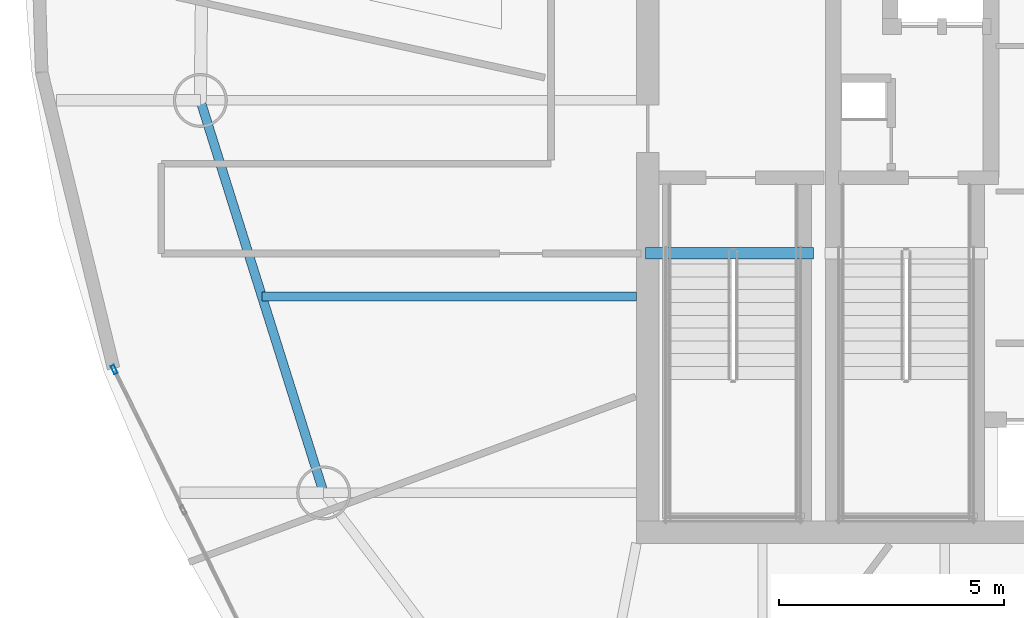
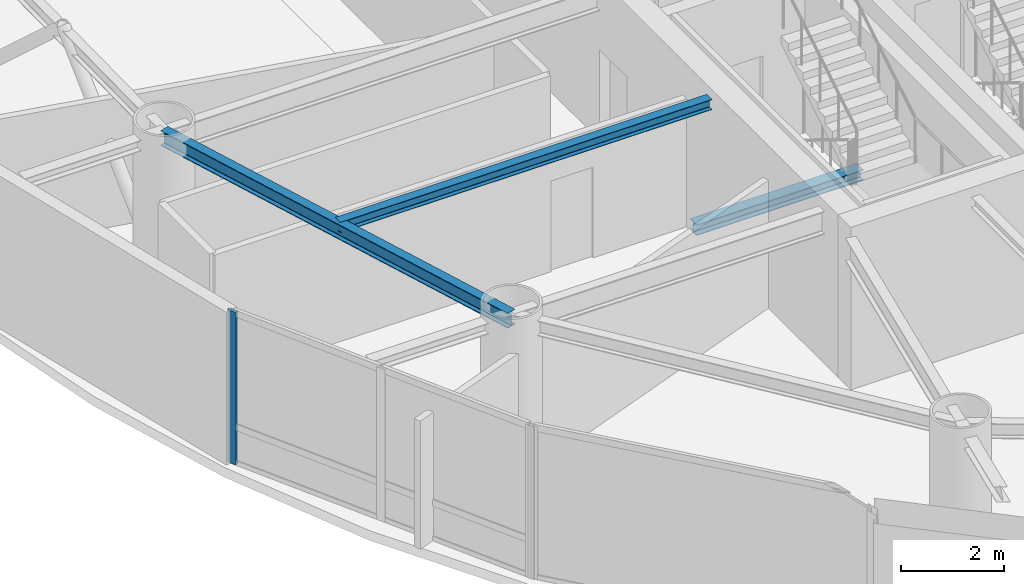
# One storey, part 4 of 19: 3 beams, 1 member, 1 element without a shape of its own.
"""IFC4 building model written with IfcOpenShell, lengths in metres."""

from ifc_helpers import new_model, si_unit, direction, frame, origin, origin_2d, place, context, subcontext, project, spatial, hollow_rectangle, i_section, extrude, material, layer, layer_set, material_profile, profile_set, type_object, element, aggregate, save


model = new_model("IFC4")

# Units and contexts
model_context = context("Model", 3, precision=1e-05, world=origin(), true_north=direction((0.0, 1.0)))
body_context = subcontext(model_context, "Body", "Model", "MODEL_VIEW")
ifc_project = project(units=[si_unit("LENGTHUNIT", "METRE"), si_unit("AREAUNIT", "SQUARE_METRE"), si_unit("VOLUMEUNIT", "CUBIC_METRE"), si_unit("PLANEANGLEUNIT", "RADIAN"), si_unit("MASSUNIT", "GRAM", prefix="KILO")], contexts=[model_context])

# Site, building, storey
site_placement = place(None, origin())
site = spatial("IfcSite", under=ifc_project, at=site_placement, CompositionType="ELEMENT")
building_placement = place(site_placement, origin())
building = spatial("IfcBuilding", under=site, at=building_placement, Name="Bramvorn Convention Spire", CompositionType="ELEMENT")
storey_placement = place(building_placement, frame((0.0, 0.0, 198.14990234375)))
storey = spatial("IfcBuildingStorey", under=building, at=storey_placement, Name="L50", CompositionType="ELEMENT", Elevation=198.14990234375)

# Beams
ifc_material_1 = material(Name="Steel CSA G40.21 Grade 350 (350W)", Category="steel")
ifc_material_profile_1 = material_profile(ifc_material_1, i_section(OverallWidth=0.201904296875, OverallDepth=0.2470703125, WebThickness=0.00732421875, FlangeThickness=0.010986328125, FilletRadius=0.011962890625, at=origin_2d()))
ifc_profile_set_1 = profile_set([ifc_material_profile_1], Name="Steel CSA G40.21 Grade 350 (350W) - W250X49")
beam_type_1 = type_object("IfcBeamType", Name="BM-W250X49", PredefinedType="JOIST", material=ifc_profile_set_1)
beam_1_placement = place(storey_placement, frame((26.75, 24.039794921875, 3.49658203125), z_axis=(-1.0, 0.0, 0.0), x_axis=(0.0, -1.0, 0.0)))
element("IfcBeam", 1, at=beam_1_placement, inside=storey, type_object=beam_type_1, Name="L50 composite floor joist 11", PredefinedType="JOIST", context=body_context, shape_type="SweptSolid", body=[
    extrude(i_section(OverallWidth=0.201904296875, OverallDepth=0.2470703125, WebThickness=0.00732421875, FlangeThickness=0.010986328125, FilletRadius=0.011962890625, at=origin_2d()), origin(), (0.0, 0.0, 1.0), 8.33251953125),
])
ifc_material_profile_2 = material_profile(ifc_material_1, i_section(OverallWidth=0.25390625, OverallDepth=0.2529296875, WebThickness=0.008544921875, FlangeThickness=0.01416015625, FilletRadius=0.011962890625, at=origin_2d()))
ifc_profile_set_2 = profile_set([ifc_material_profile_2], Name="Steel CSA G40.21 Grade 350 (350W) - W250X73")
beam_type_2 = type_object("IfcBeamType", Name="BM-W250X73", PredefinedType="BEAM", material=ifc_profile_set_2)
beam_2_placement = place(storey_placement, frame((26.949951171875, 25.010009765625, -0.12646484375), z_axis=(1.0, 0.0, 0.0), x_axis=(0.0, 1.0, 0.0)))
element("IfcBeam", 2, at=beam_2_placement, inside=storey, type_object=beam_type_2, Name="L50 ST1 stair arrival header beam", PredefinedType="BEAM", context=body_context, shape_type="SweptSolid", body=[
    extrude(i_section(OverallWidth=0.25390625, OverallDepth=0.2529296875, WebThickness=0.008544921875, FlangeThickness=0.01416015625, FilletRadius=0.011962890625, at=origin_2d()), origin(), (0.0, 0.0, 1.0), 3.739990234375),
])
ifc_material_profile_3 = material_profile(ifc_material_1, i_section(OverallWidth=0.205078125, OverallDepth=0.35400390625, WebThickness=0.009521484375, FlangeThickness=0.016845703125, FilletRadius=0.014892578125, at=origin_2d()))
ifc_profile_set_3 = profile_set([ifc_material_profile_3], Name="Steel CSA G40.21 Grade 350 (350W) - W360X79")
beam_type_3 = type_object("IfcBeamType", Name="BM-W360X79", PredefinedType="JOIST", material=ifc_profile_set_3)
beam_3_placement = place(storey_placement, frame((17.04541015625, 28.406494140625, 3.443115234375), z_axis=(0.299747542929, -0.954018558786, 0.0), x_axis=(0.954018558786, 0.299747542929, 0.0)))
element("IfcBeam", 3, at=beam_3_placement, inside=storey, type_object=beam_type_3, Name="L50 mega-column ring beam 11", PredefinedType="JOIST", context=body_context, shape_type="SweptSolid", body=[
    extrude(i_section(OverallWidth=0.205078125, OverallDepth=0.35400390625, WebThickness=0.009521484375, FlangeThickness=0.016845703125, FilletRadius=0.014892578125, at=origin_2d()), origin(), (0.0, 0.0, 1.0), 9.15478515625),
])

# Curtain wall, member
ifc_material_2 = material(Name="Anodised Bronze Unitised Curtain Wall", Category="aluminium")
ifc_layer = layer(ifc_material_2, 0.179931640625)
ifc_layer_set = layer_set([ifc_layer], Name="Anodised Bronze Unitised Curtain Wall - CW-OFF-FRIT")
curtain_wall_type = type_object("IfcCurtainWallType", Name="CW-OFF-FRIT", PredefinedType="USERDEFINED", material=ifc_layer_set)
curtain_wall_placement = place(storey_placement, origin())
curtain_wall = element("IfcCurtainWall", 4, at=curtain_wall_placement, inside=storey, type_object=curtain_wall_type, Name="L50 fritted glass curtain wall 17", ObjectType="UNITISED CURTAIN WALL", PredefinedType="USERDEFINED")
ifc_material_3 = material(Name="Anodised Bronze Aluminium 6063-T6", Category="aluminium")
ifc_material_profile_4 = material_profile(ifc_material_3, hollow_rectangle(XDim=0.080078125, YDim=0.199951171875, WallThickness=0.00390625, InnerFilletRadius=0.0009765625, OuterFilletRadius=0.00390625, at=origin_2d()))
ifc_profile_set_4 = profile_set([ifc_material_profile_4], Name="Anodised Bronze Aluminium 6063-T6 - CWM80X200")
member_type = type_object("IfcMemberType", Name="CW-MUL-180", PredefinedType="MULLION", material=ifc_profile_set_4)
member_placement = place(storey_placement, frame((15.127685546875, 22.41650390625, 0.0), z_axis=(0.0, 0.0, 1.0), x_axis=(-0.897183011599, -0.441658967641, 0.0)))
member = element("IfcMember", 5, at=member_placement, type_object=member_type, Name="CW3 mullion 3", PredefinedType="MULLION", context=body_context, shape_type="SweptSolid", body=[
    extrude(hollow_rectangle(XDim=0.080078125, YDim=0.199951171875, WallThickness=0.00390625, InnerFilletRadius=0.0009765625, OuterFilletRadius=0.00390625, at=origin_2d()), origin(), (0.0, 0.0, 1.0), 3.6201171875),
])
aggregate(curtain_wall, [member])

save(model, "model.ifc")
